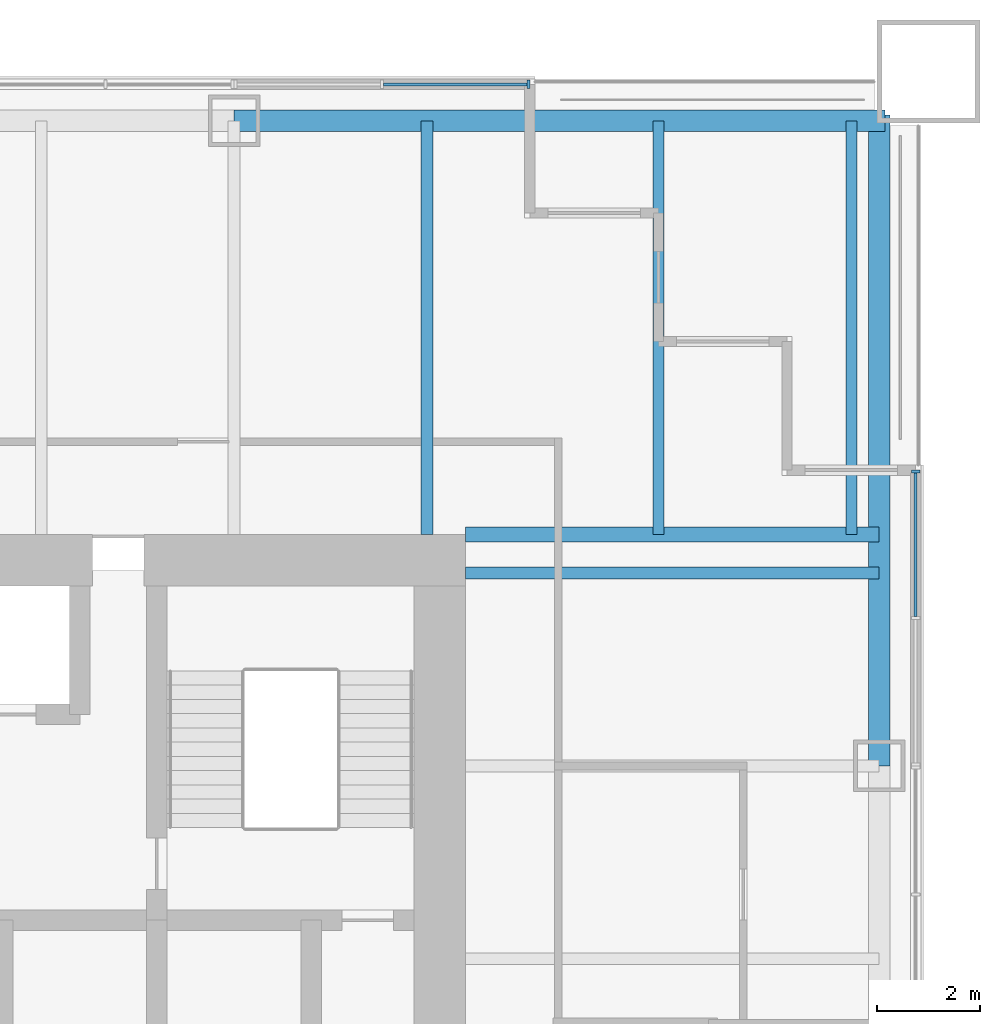
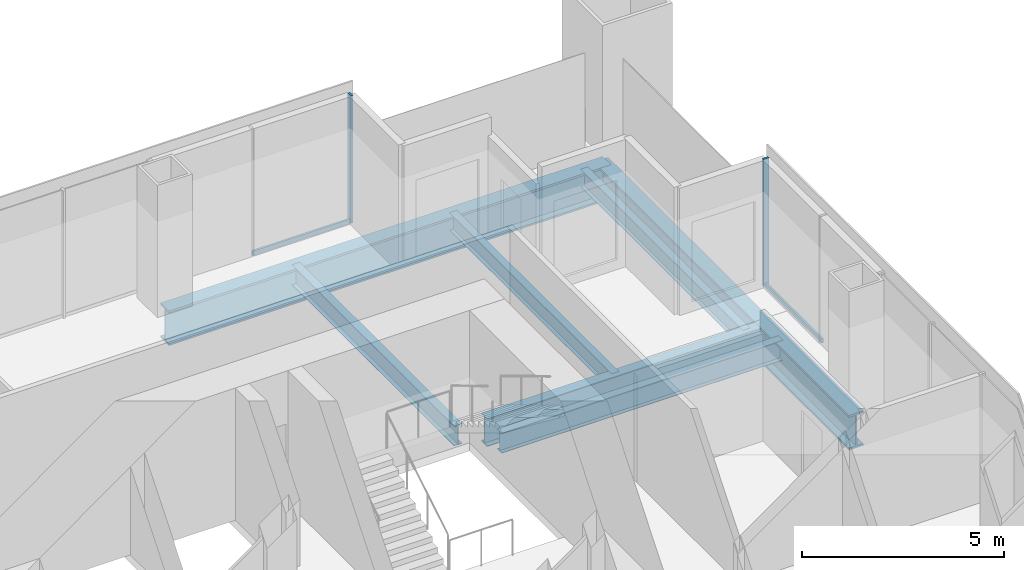
# One storey, part 7 of 14: 7 beams, 4 members, 2 elements without a shape of their own.
"""IFC4 building model written with IfcOpenShell, lengths in metres."""

import ifcopenshell
import ifcopenshell.guid

model = None  # the IFC model being written
_history = None  # IfcOwnerHistory: only IFC2X3 demands one
_inside = {}  # id of a spatial element -> (the spatial element, [elements in it])
_under = {}  # id of a project, library or spatial element -> (it, [spatial elements below it])
_declared = {}  # id of a project -> (the project, [libraries it declares])
_typed = {}  # id of a type object -> (the type object, [elements of that type])
_made_of = {}  # id of a material, layer set ... -> (it, [elements and type objects made of it])


def new_model(schema):
    """Start an empty IFC model of exactly this schema.

    Asked for "IFC4X3", IfcOpenShell would pick the latest addendum, in which some entities
    have other attributes; the version numbers below select the first issue.
    IFC2X3 requires an IfcOwnerHistory on every rooted entity: one is made here for all.
    """
    global model, _history
    if schema == "IFC4X3":
        model = ifcopenshell.file(schema_version=(4, 3, 0, 0))
    else:
        model = ifcopenshell.file(schema=schema)
    _inside.clear()
    _under.clear()
    _declared.clear()
    _typed.clear()
    _made_of.clear()
    _history = None
    if model.schema == "IFC2X3":
        org = make("IfcOrganization", Name="unknown")
        user = make(
            "IfcPersonAndOrganization",
            ThePerson=make("IfcPerson", FamilyName="unknown"),
            TheOrganization=org,
        )
        app = make(
            "IfcApplication",
            ApplicationDeveloper=org,
            Version="unknown",
            ApplicationFullName="unknown",
            ApplicationIdentifier="unknown",
        )
        _history = make(
            "IfcOwnerHistory",
            OwningUser=user,
            OwningApplication=app,
            ChangeAction="ADDED",
            CreationDate=0,
        )
    return model


def make(cls, **values):
    """One entity of the class cls with the attributes given. An attribute that is None is left unset."""
    return model.create_entity(
        cls, **{name: value for name, value in values.items() if value is not None}
    )


def rooted(cls, **values):
    """An entity with a GlobalId (a new one), such as an element, a storey or a relation."""
    return make(cls, GlobalId=ifcopenshell.guid.new(), OwnerHistory=_history, **values)


def si_unit(unit_type, name, prefix=None):
    """IfcSIUnit, for example si_unit("LENGTHUNIT", "METRE", prefix="MILLI")."""
    return make("IfcSIUnit", UnitType=unit_type, Prefix=prefix, Name=name)


def assignment(units):
    """IfcUnitAssignment: the units of a project."""
    return None if units is None else make("IfcUnitAssignment", Units=units)


def point(xyz):
    """IfcCartesianPoint."""
    return None if xyz is None else make("IfcCartesianPoint", Coordinates=xyz)


def direction(xyz):
    """IfcDirection."""
    return None if xyz is None else make("IfcDirection", DirectionRatios=xyz)


def frame(location, z_axis=None, x_axis=None):
    """IfcAxis2Placement3D, a coordinate frame: its origin and axes. An axis left out is left unset."""
    return make(
        "IfcAxis2Placement3D",
        Location=point(location),
        Axis=direction(z_axis),
        RefDirection=direction(x_axis),
    )


def frame_2d(location, x_axis=None):
    """IfcAxis2Placement2D, a coordinate frame in the plane: its origin and x axis."""
    return make(
        "IfcAxis2Placement2D", Location=point(location), RefDirection=direction(x_axis)
    )


def origin():
    """The frame at (0, 0, 0) with its axes left unset."""
    return frame((0.0, 0.0, 0.0))


def origin_2d():
    """The frame at (0, 0) in the plane with its x axis left unset."""
    return frame_2d((0.0, 0.0))


def place(relative_to, where):
    """IfcLocalPlacement: puts the frame where relative to a parent placement (None: the world)."""
    return make(
        "IfcLocalPlacement", PlacementRelTo=relative_to, RelativePlacement=where
    )


def context(
    kind, dimensions, precision=None, world=None, true_north=None, identifier=None
):
    """IfcGeometricRepresentationContext, for example the 3D "Model" context."""
    return make(
        "IfcGeometricRepresentationContext",
        ContextIdentifier=identifier,
        ContextType=kind,
        CoordinateSpaceDimension=dimensions,
        Precision=precision,
        WorldCoordinateSystem=world,
        TrueNorth=true_north,
    )


def subcontext(parent, identifier, kind, view, scale=None):
    """IfcGeometricRepresentationSubContext, for example "Body" below "Model"."""
    return make(
        "IfcGeometricRepresentationSubContext",
        ContextIdentifier=identifier,
        ContextType=kind,
        ParentContext=parent,
        TargetScale=scale,
        TargetView=view,
    )


def project(units=None, contexts=None):
    """IfcProject with its units and contexts."""
    return rooted(
        "IfcProject",
        Name="project",
        RepresentationContexts=contexts,
        UnitsInContext=assignment(units),
    )


def spatial(cls, under=None, at=None, **own):
    """A site, building, storey or space (cls), placed at a placement, below another one or the project."""
    s = rooted(cls, ObjectPlacement=at, **own)
    if under is not None:
        _under.setdefault(under.id(), (under, []))[1].append(s)
    return s


def profile(cls, at=None, kind="AREA", **sizes):
    """A parametric profile (cls). Its sizes go by their IFC names, for example OverallWidth=200.0."""
    return make(cls, ProfileType=kind, Position=at, **sizes)


def rectangle(**sizes):
    """IfcRectangleProfileDef."""
    return profile("IfcRectangleProfileDef", **sizes)


def i_section(**sizes):
    """IfcIShapeProfileDef."""
    return profile("IfcIShapeProfileDef", **sizes)


def extrude(swept, where, along, depth):
    """IfcExtrudedAreaSolid: the profile swept, set in the frame where, extruded along a direction by depth."""
    return make(
        "IfcExtrudedAreaSolid",
        SweptArea=swept,
        Position=where,
        ExtrudedDirection=direction(along),
        Depth=depth,
    )


def shape(context_of_items, identifier, shape_type, items):
    """IfcShapeRepresentation: the items that make up one representation, for example the "Body"."""
    return make(
        "IfcShapeRepresentation",
        ContextOfItems=context_of_items,
        RepresentationIdentifier=identifier,
        RepresentationType=shape_type,
        Items=items,
    )


def material(Name=None, Category=None):
    """IfcMaterial."""
    return make("IfcMaterial", Name=Name, Category=Category)


def material_profile(
    of_material, cross_section, Name=None, Category=None, Priority=None
):
    """IfcMaterialProfile: a cross section and its material."""
    return make(
        "IfcMaterialProfile",
        Name=Name,
        Material=of_material,
        Profile=cross_section,
        Priority=Priority,
        Category=Category,
    )


def profile_set(profiles, Name=None, composite=None):
    """IfcMaterialProfileSet."""
    return make(
        "IfcMaterialProfileSet",
        Name=Name,
        MaterialProfiles=profiles,
        CompositeProfile=composite,
    )


def made_of(thing, what):
    """Note that an element or type object is made of a material, layer set ...; save() writes the relation."""
    if what is not None:
        _made_of.setdefault(what.id(), (what, []))[1].append(thing)
    return thing


def type_object(cls, material=None, **own):
    """A type object (cls), such as IfcWallType, which elements share."""
    return made_of(rooted(cls, **own), material)


def element(
    cls,
    number,
    at=None,
    inside=None,
    cuts=None,
    type_object=None,
    material=None,
    context=None,
    identifier="Body",
    shape_type=None,
    held_by="IfcProductDefinitionShape",
    body=None,
    shapes=None,
    **own,
):
    """One element of the class cls, such as IfcWall. Its Tag is "e" and its number.

    at: its placement. inside: the storey or other place that contains it. cuts: it is an
    opening in that element (IfcRelVoidsElement). A single representation is given by context,
    identifier, shape_type and body (its items); several are given by shapes. held_by: the class
    of the entity that holds the representations. save() writes the other relations.
    """
    e = rooted(cls, Tag="e%d" % number, ObjectPlacement=at, **own)
    if body is not None:
        shapes = [shape(context, identifier, shape_type, body)]
    if shapes is not None:
        e.Representation = make(held_by, Representations=shapes)
    if inside is not None:
        _inside.setdefault(inside.id(), (inside, []))[1].append(e)
    if cuts is not None:
        rooted(
            "IfcRelVoidsElement", RelatingBuildingElement=cuts, RelatedOpeningElement=e
        )
    if type_object is not None:
        _typed.setdefault(type_object.id(), (type_object, []))[1].append(e)
    return made_of(e, material)


def aggregate(whole, parts):
    """IfcRelAggregates: a whole, such as a stair, and the parts it consists of."""
    return rooted("IfcRelAggregates", RelatingObject=whole, RelatedObjects=parts)


def save(model, path):
    """Write the relations noted so far, then the file.

    IfcRelAggregates (storeys below a building ...), IfcRelContainedInSpatialStructure (elements
    in a storey), IfcRelDefinesByType, IfcRelAssociatesMaterial and IfcRelDeclares: one each for
    every whole, place, type object, material and project.
    """
    for whole, parts in _under.values():
        aggregate(whole, parts)
    for where, things in _inside.values():
        rooted(
            "IfcRelContainedInSpatialStructure",
            RelatedElements=things,
            RelatingStructure=where,
        )
    for kind, things in _typed.values():
        rooted("IfcRelDefinesByType", RelatedObjects=things, RelatingType=kind)
    for what, things in _made_of.values():
        rooted("IfcRelAssociatesMaterial", RelatedObjects=things, RelatingMaterial=what)
    for by, libraries in _declared.values():
        rooted("IfcRelDeclares", RelatingContext=by, RelatedDefinitions=libraries)
    model.write(path)


model = new_model("IFC4")

# Units and contexts
model_context = context("Model", 3, precision=1e-05, world=origin(), true_north=direction((0.0, 1.0)))
body_context = subcontext(model_context, "Body", "Model", "MODEL_VIEW")
ifc_project = project(units=[si_unit("LENGTHUNIT", "METRE"), si_unit("AREAUNIT", "SQUARE_METRE"), si_unit("VOLUMEUNIT", "CUBIC_METRE"), si_unit("PLANEANGLEUNIT", "RADIAN"), si_unit("MASSUNIT", "GRAM", prefix="KILO")], contexts=[model_context])

# Site, building, storey
site_placement = place(None, origin())
site = spatial("IfcSite", under=ifc_project, at=site_placement, CompositionType="ELEMENT")
building_placement = place(site_placement, origin())
building = spatial("IfcBuilding", under=site, at=building_placement, Name="Tarangal Relay Tower", CompositionType="ELEMENT")
storey_placement = place(building_placement, frame((0.0, 0.0, 267.89990234375)))
storey = spatial("IfcBuildingStorey", under=building, at=storey_placement, Name="L58", CompositionType="ELEMENT", Elevation=267.89990234375)

# Beams
ifc_material_1 = material(Name="Steel ASTM A992", Category="steel")
ifc_material_profile_1 = material_profile(ifc_material_1, i_section(OverallWidth=0.209228515625, OverallDepth=0.533447265625, WebThickness=0.01025390625, FlangeThickness=0.015625, at=origin_2d()), Name="W21X62")
ifc_profile_set_1 = profile_set([ifc_material_profile_1], Name="Steel ASTM A992")
beam_type_1 = type_object("IfcBeamType", Name="Corner beam W21X62", PredefinedType="JOIST", material=ifc_profile_set_1)
for number, where, z_axis, x_axis, name in (
    (1, (15.75, 12.0, -0.41650390625), (0.0, 1.0, 0.0), (-1.0, 0.0, 0.0), "Corner beam CB12 N L58"),
    (2, (19.5, 12.0, -0.41650390625), (0.0, 1.0, 0.0), (-1.0, 0.0, 0.0), "Corner beam CB12 N L58"),
):
    element("IfcBeam", number, at=place(storey_placement, frame(where, z_axis=z_axis, x_axis=x_axis)), inside=storey, type_object=beam_type_1, Name=name, PredefinedType="JOIST", context=body_context, shape_type="SweptSolid", body=[
        extrude(i_section(OverallWidth=0.209228515625, OverallDepth=0.533447265625, WebThickness=0.01025390625, FlangeThickness=0.015625, at=origin_2d()), origin(), (0.0, 0.0, 1.0), 8.0400390625),
    ])
ifc_material_profile_2 = material_profile(ifc_material_1, i_section(OverallWidth=0.2919921875, OverallDepth=0.8408203125, WebThickness=0.0146484375, FlangeThickness=0.021728515625, at=origin_2d()), Name="W33X130")
ifc_profile_set_2 = profile_set([ifc_material_profile_2], Name="Steel ASTM A992")
beam_type_2 = type_object("IfcBeamType", Name="Corner girder W33X130", PredefinedType="BEAM", material=ifc_profile_set_2)
beam_placement = place(storey_placement, frame((12.0, 12.0, -0.5703125), z_axis=(1.0, 0.0, 0.0), x_axis=(0.0, 1.0, 0.0)))
element("IfcBeam", 3, at=beam_placement, inside=storey, type_object=beam_type_2, Name="Corner girder CG5 N L58", PredefinedType="BEAM", context=body_context, shape_type="SweptSolid", body=[
    extrude(i_section(OverallWidth=0.2919921875, OverallDepth=0.8408203125, WebThickness=0.0146484375, FlangeThickness=0.021728515625, at=origin_2d()), origin(), (0.0, 0.0, 1.0), 8.0400390625),
])
ifc_material_profile_3 = material_profile(ifc_material_1, i_section(OverallWidth=0.41162109375, OverallDepth=1.049072265625, WebThickness=0.033935546875, FlangeThickness=0.059814453125, at=origin_2d()), Name="W40X431")
ifc_profile_set_3 = profile_set([ifc_material_profile_3], Name="Steel ASTM A992")
beam_type_3 = type_object("IfcBeamType", Name="Edge girder W40X431", PredefinedType="SPANDREL", material=ifc_profile_set_3)
for number, where, z_axis, x_axis, name in (
    (4, (7.5, 20.0400390625, -0.67431640625), (1.0, 0.0, 0.0), (0.0, 1.0, 0.0), "Edge girder EG1 N L58"),
    (5, (20.0400390625, 20.14990234375, -0.67431640625), (0.0, -1.0, 0.0), (1.0, 0.0, 0.0), "Edge girder EG1 E L58"),
):
    element("IfcBeam", number, at=place(storey_placement, frame(where, z_axis=z_axis, x_axis=x_axis)), inside=storey, type_object=beam_type_3, Name=name, PredefinedType="SPANDREL", context=body_context, shape_type="SweptSolid", body=[
        extrude(i_section(OverallWidth=0.41162109375, OverallDepth=1.049072265625, WebThickness=0.033935546875, FlangeThickness=0.059814453125, at=origin_2d()), origin(), (0.0, 0.0, 1.0), 12.64990234375),
    ])
ifc_material_profile_4 = material_profile(ifc_material_1, i_section(OverallWidth=0.228271484375, OverallDepth=0.607177734375, WebThickness=0.01123046875, FlangeThickness=0.017333984375, at=origin_2d()), Name="W24X76")
ifc_profile_set_4 = profile_set([ifc_material_profile_4], Name="Steel ASTM A992")
beam_type_4 = type_object("IfcBeamType", Name="Floor beam W24X76", PredefinedType="BEAM", material=ifc_profile_set_4)
for number, where, z_axis, x_axis, name in (
    (6, (11.25, 12.0, -0.453369140625), (0.0, 1.0, 0.0), (-1.0, 0.0, 0.0), "Floor beam RB5 N L58"),
    (7, (12.0, 11.25, -0.453369140625), (1.0, 0.0, 0.0), (0.0, 1.0, 0.0), "Floor beam RB5 E L58"),
):
    element("IfcBeam", number, at=place(storey_placement, frame(where, z_axis=z_axis, x_axis=x_axis)), inside=storey, type_object=beam_type_4, Name=name, PredefinedType="BEAM", context=body_context, shape_type="SweptSolid", body=[
        extrude(i_section(OverallWidth=0.228271484375, OverallDepth=0.607177734375, WebThickness=0.01123046875, FlangeThickness=0.017333984375, at=origin_2d()), origin(), (0.0, 0.0, 1.0), 8.0400390625),
    ])

# Curtain wall, member
ifc_material_2 = material(Name="Unitised curtain wall frame, black aluminium, with metal clad infill walls", Category="aluminium")
curtain_wall_type = type_object("IfcCurtainWallType", Name="Curtain wall CW-BO", PredefinedType="USERDEFINED", material=ifc_material_2)
curtain_wall_1_placement = place(storey_placement, origin())
curtain_wall_1 = element("IfcCurtainWall", 8, at=curtain_wall_1_placement, inside=storey, type_object=curtain_wall_type, Name="Curtain wall CW-BO N facade L58", ObjectType="UNITISED CURTAIN WALL", PredefinedType="USERDEFINED")
ifc_material_3 = material(Name="Black anodised aluminium mullion", Category="aluminium")
ifc_material_profile_5 = material_profile(ifc_material_3, rectangle(XDim=0.159912109375, YDim=0.06005859375, at=origin_2d()), Name="CW-BOM 60X160")
ifc_profile_set_5 = profile_set([ifc_material_profile_5], Name="Black anodised aluminium mullion")
member_type_1 = type_object("IfcMemberType", Name="Mullion CW-BO 60 x 160", PredefinedType="MULLION", material=ifc_profile_set_5)
member_1_placement = place(storey_placement, frame((13.219970703125, 20.75, 0.0), z_axis=(0.0, 0.0, 1.0), x_axis=(0.0, 1.0, 0.0)))
member_1 = element("IfcMember", 9, at=member_1_placement, type_object=member_type_1, Name="CW-BO mullion 3", PredefinedType="MULLION", context=body_context, shape_type="SweptSolid", body=[
    extrude(rectangle(XDim=0.159912109375, YDim=0.06005859375, at=origin_2d()), origin(), (0.0, 0.0, 1.0), 3.85009765625),
])

curtain_wall_2_placement = place(storey_placement, origin())
curtain_wall_2 = element("IfcCurtainWall", 10, at=curtain_wall_2_placement, inside=storey, type_object=curtain_wall_type, Name="Curtain wall CW-BO E facade L58", ObjectType="UNITISED CURTAIN WALL", PredefinedType="USERDEFINED")
member_2_placement = place(storey_placement, frame((20.75, 13.219970703125, 0.0), z_axis=(0.0, 0.0, 1.0), x_axis=(1.0, 0.0, 0.0)))
member_2 = element("IfcMember", 11, at=member_2_placement, type_object=member_type_1, Name="CW-BO mullion 1", PredefinedType="MULLION", context=body_context, shape_type="SweptSolid", body=[
    extrude(rectangle(XDim=0.159912109375, YDim=0.06005859375, at=origin_2d()), origin(), (0.0, 0.0, 1.0), 3.85009765625),
])

# Member
ifc_material_4 = material(Name="Black anodised aluminium transom", Category="aluminium")
ifc_material_profile_6 = material_profile(ifc_material_4, rectangle(XDim=0.06005859375, YDim=0.1298828125, at=origin_2d()), Name="CW-BOT 60X130")
ifc_profile_set_6 = profile_set([ifc_material_profile_6], Name="Black anodised aluminium transom")
member_type_2 = type_object("IfcMemberType", Name="Transom CW-BO 60 x 130", PredefinedType="USERDEFINED", material=ifc_profile_set_6)
member_3_placement = place(storey_placement, frame((10.405029296875, 20.75, 0.030029296875), z_axis=(1.0, 0.0, 0.0), x_axis=(0.0, 1.0, 0.0)))
member_3 = element("IfcMember", 12, at=member_3_placement, type_object=member_type_2, Name="CW-BO transom 2.1", ObjectType="TRANSOM", PredefinedType="USERDEFINED", context=body_context, shape_type="SweptSolid", body=[
    extrude(rectangle(XDim=0.06005859375, YDim=0.1298828125, at=origin_2d()), origin(), (0.0, 0.0, 1.0), 2.784912109375),
])

aggregate(curtain_wall_1, [member_1, member_3])

member_4_placement = place(storey_placement, frame((20.75, 13.18994140625, 0.030029296875), z_axis=(0.0, -1.0, 0.0), x_axis=(1.0, 0.0, 0.0)))
member_4 = element("IfcMember", 13, at=member_4_placement, type_object=member_type_2, Name="CW-BO transom 1.1", ObjectType="TRANSOM", PredefinedType="USERDEFINED", context=body_context, shape_type="SweptSolid", body=[
    extrude(rectangle(XDim=0.06005859375, YDim=0.1298828125, at=origin_2d()), origin(), (0.0, 0.0, 1.0), 2.784912109375),
])

aggregate(curtain_wall_2, [member_2, member_4])

save(model, "model.ifc")
